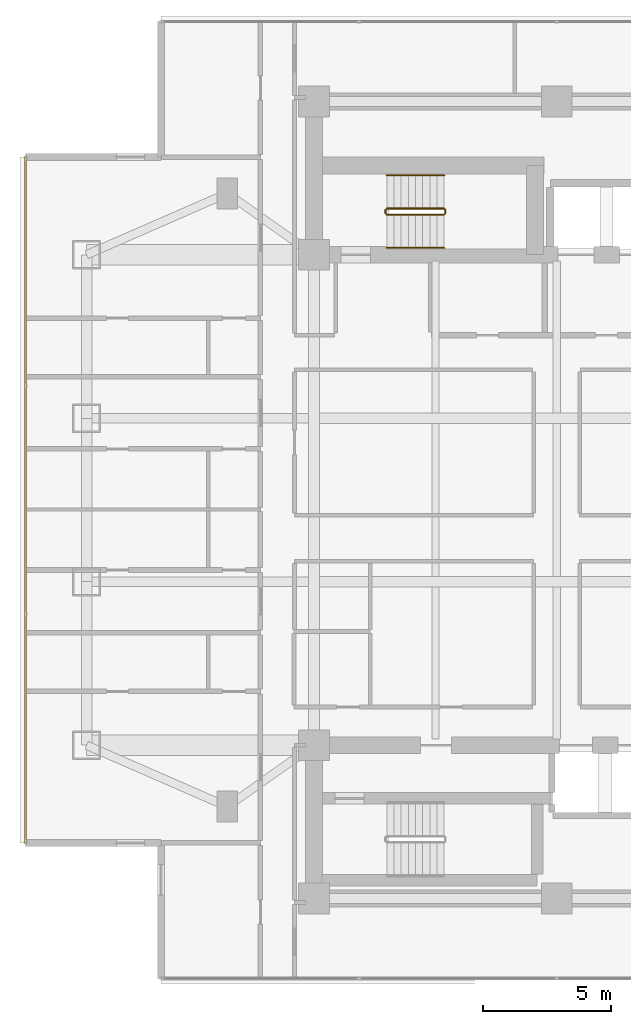
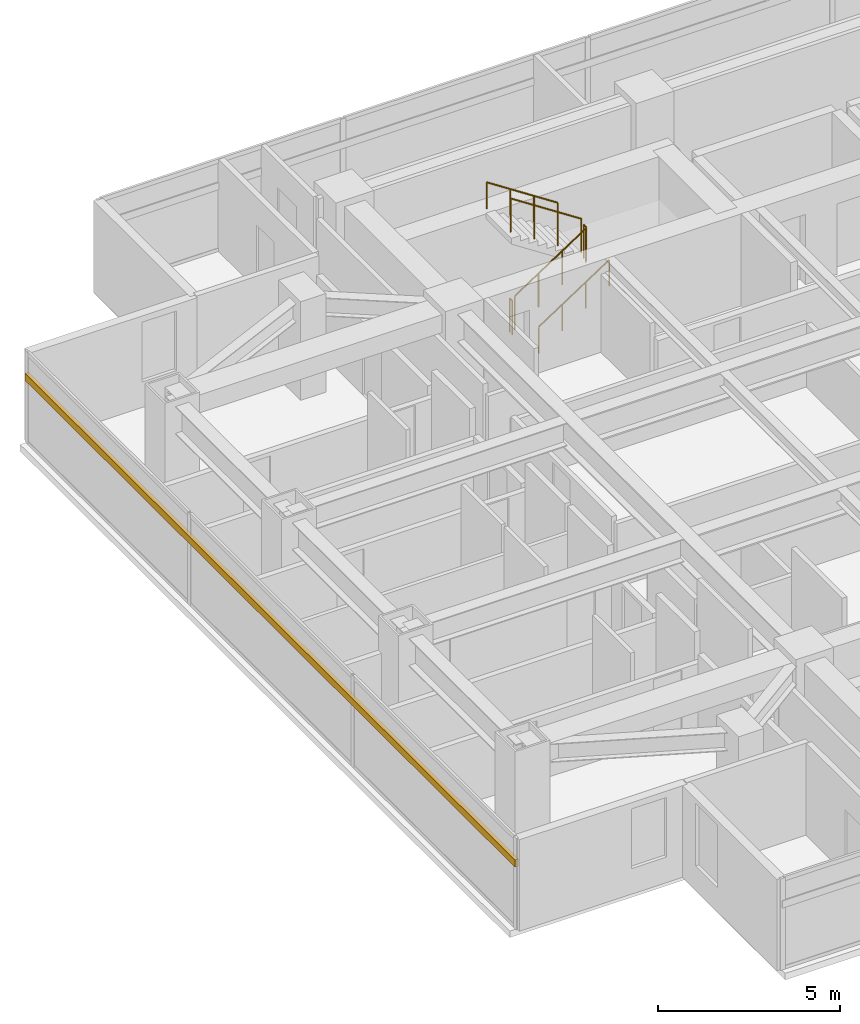
# One storey, part 23 of 27: 6 railings, 1 shading device.
"""IFC4 building model written with IfcOpenShell, lengths in metres."""

from ifc_helpers import new_model, si_unit, direction, frame, origin, origin_2d, place, context, subcontext, project, spatial, rectangle, circle, extrude, material, material_profile, profile_set, type_object, element, save


model = new_model("IFC4")

# Units and contexts
model_context = context("Model", 3, precision=1e-05, world=origin(), true_north=direction((0.0, 1.0)))
body_context = subcontext(model_context, "Body", "Model", "MODEL_VIEW")
ifc_project = project(units=[si_unit("LENGTHUNIT", "METRE"), si_unit("AREAUNIT", "SQUARE_METRE"), si_unit("VOLUMEUNIT", "CUBIC_METRE"), si_unit("PLANEANGLEUNIT", "RADIAN"), si_unit("MASSUNIT", "GRAM", prefix="KILO")], contexts=[model_context])

# Site, building, storey
site_placement = place(None, origin())
site = spatial("IfcSite", under=ifc_project, at=site_placement, CompositionType="ELEMENT")
building_placement = place(site_placement, origin())
building = spatial("IfcBuilding", under=site, at=building_placement, Name="Mirazonda Arch Towers", CompositionType="ELEMENT")
storey_placement = place(building_placement, frame((0.0, 0.0, 95.0)))
storey = spatial("IfcBuildingStorey", under=building, at=storey_placement, Name="L26", CompositionType="ELEMENT", Elevation=95.0)

# Shading device
ifc_material_1 = material(Name="Kiln-Fired Architectural Terracotta", Category="masonry")
ifc_material_profile = material_profile(ifc_material_1, rectangle(XDim=0.1201171875, YDim=0.239990234375, at=origin_2d()), Name="TERRA-BAG-120x240")
ifc_profile_set = profile_set([ifc_material_profile], Name="Kiln-Fired Architectural Terracotta")
shading_device_type = type_object("IfcShadingDeviceType", Name="BAGUETTE-1", PredefinedType="USERDEFINED", material=ifc_profile_set)
shading_device_placement = place(storey_placement, frame((-0.2900390625, 41.4208984375, 2.203125), z_axis=(0.0, -1.0, 0.0), x_axis=(1.0, 0.0, 0.0)))
element("IfcShadingDevice", 1, at=shading_device_placement, inside=storey, type_object=shading_device_type, Name="L26 Glazed Terracotta Sun-Screen Baguette CW-L26-T1-W", ObjectType="BAGUETTE", PredefinedType="USERDEFINED", context=body_context, shape_type="SweptSolid", body=[
    extrude(rectangle(XDim=0.1201171875, YDim=0.239990234375, at=origin_2d()), origin(), (0.0, 0.0, 1.0), 26.841796875),
])

# Railings
ifc_material_2 = material(Name="Architectural Brushed Steel S355", Category="steel")
railing_type_1 = type_object("IfcRailingType", Name="GUARD-STAIR-1120", PredefinedType="GUARDRAIL", material=ifc_material_2)
railing_1_placement = place(storey_placement, frame((13.85009765625, 39.169921875, 0.183349609375)))
element("IfcRailing", 2, at=railing_1_placement, inside=storey, type_object=railing_type_1, Name="L26 ST-T1N stair guard 1", PredefinedType="GUARDRAIL", context=body_context, shape_type="SweptSolid", body=[
    extrude(circle(Radius=0.02392578125, at=origin_2d()), frame((0.0, 0.0, 1.1259765625), z_axis=(0.836636935527, 0.0, 0.547757827979), x_axis=(0.0, 1.0, 0.0)), (0.0, 0.0, 1.0), 2.677490234375),
    extrude(circle(Radius=0.02099609375, at=origin_2d()), origin(), (0.0, 0.0, 1.0), 1.101806640625),
    extrude(circle(Radius=0.02099609375, at=origin_2d()), frame((0.74658203125, 0.0, 0.48876953125)), (0.0, 0.0, 1.0), 1.101806640625),
    extrude(circle(Radius=0.02099609375, at=origin_2d()), frame((1.493408203125, 0.0, 0.977783203125)), (0.0, 0.0, 1.0), 1.101806640625),
    extrude(circle(Radius=0.02099609375, at=origin_2d()), frame((2.239990234375, 0.0, 1.466552734375)), (0.0, 0.0, 1.0), 1.101806640625),
])
railing_2_placement = place(storey_placement, frame((16.139892578125, 39.219970703125, 1.64990234375)))
element("IfcRailing", 3, at=railing_2_placement, inside=storey, type_object=railing_type_1, Name="L26 ST-T1N stair guard 2", PredefinedType="GUARDRAIL", context=body_context, shape_type="SweptSolid", body=[
    extrude(circle(Radius=0.02392578125, at=origin_2d()), frame((0.0, 0.0, 1.1259765625), z_axis=(0.0, 1.0, 0.0), x_axis=(-1.0, 0.0, 0.0)), (0.0, 0.0, 1.0), 0.14013671875),
    extrude(circle(Radius=0.02099609375, at=origin_2d()), origin(), (0.0, 0.0, 1.0), 1.101806640625),
    extrude(circle(Radius=0.02099609375, at=origin_2d()), frame((0.0, 0.14013671875, 0.0)), (0.0, 0.0, 1.0), 1.101806640625),
])
railing_3_placement = place(storey_placement, frame((16.090087890625, 39.409912109375, 1.833251953125)))
element("IfcRailing", 4, at=railing_3_placement, inside=storey, type_object=railing_type_1, Name="L26 ST-T1N stair guard 3", PredefinedType="GUARDRAIL", context=body_context, shape_type="SweptSolid", body=[
    extrude(circle(Radius=0.02392578125, at=origin_2d()), frame((0.0, 0.0, 1.1259765625), z_axis=(-0.836595146698, 0.0, 0.547821650285), x_axis=(0.0, -1.0, 0.0)), (0.0, 0.0, 1.0), 2.677490234375),
    extrude(circle(Radius=0.02099609375, at=origin_2d()), origin(), (0.0, 0.0, 1.0), 1.101806640625),
    extrude(circle(Radius=0.02099609375, at=origin_2d()), frame((-0.74658203125, 0.0, 0.489013671875)), (0.0, 0.0, 1.0), 1.101806640625),
    extrude(circle(Radius=0.02099609375, at=origin_2d()), frame((-1.493408203125, 0.0, 0.977783203125)), (0.0, 0.0, 1.0), 1.101806640625),
    extrude(circle(Radius=0.02099609375, at=origin_2d()), frame((-2.239990234375, 0.0, 1.466796875)), (0.0, 0.0, 1.0), 1.101806640625),
])
railing_4_placement = place(storey_placement, frame((13.800048828125, 39.219970703125, 0.0)))
element("IfcRailing", 5, at=railing_4_placement, inside=storey, type_object=railing_type_1, Name="L26 ST-T1N stair guard 4", PredefinedType="GUARDRAIL", context=body_context, shape_type="SweptSolid", body=[
    extrude(circle(Radius=0.02392578125, at=origin_2d()), frame((0.0, 0.0, 1.1259765625), z_axis=(0.0, 1.0, 0.0), x_axis=(-1.0, 0.0, 0.0)), (0.0, 0.0, 1.0), 0.14013671875),
    extrude(circle(Radius=0.02099609375, at=origin_2d()), origin(), (0.0, 0.0, 1.0), 1.101806640625),
    extrude(circle(Radius=0.02099609375, at=origin_2d()), frame((0.0, 0.14013671875, 0.0)), (0.0, 0.0, 1.0), 1.101806640625),
])
railing_type_2 = type_object("IfcRailingType", Name="HANDRAIL-915", PredefinedType="HANDRAIL", material=ifc_material_2)
railing_5_placement = place(storey_placement, frame((13.85009765625, 37.8701171875, 0.183349609375)))
element("IfcRailing", 6, at=railing_5_placement, inside=storey, type_object=railing_type_2, Name="L26 ST-T1N stair handrail 1", PredefinedType="HANDRAIL", context=body_context, shape_type="SweptSolid", body=[
    extrude(circle(Radius=0.02392578125, at=origin_2d()), frame((0.0, 0.0, 0.8759765625), z_axis=(0.836636935527, 0.0, 0.547757827979), x_axis=(0.0, 1.0, 0.0)), (0.0, 0.0, 1.0), 2.677490234375),
    extrude(circle(Radius=0.02099609375, at=origin_2d()), origin(), (0.0, 0.0, 1.0), 0.851806640625),
    extrude(circle(Radius=0.02099609375, at=origin_2d()), frame((0.74658203125, 0.0, 0.48876953125)), (0.0, 0.0, 1.0), 0.851806640625),
    extrude(circle(Radius=0.02099609375, at=origin_2d()), frame((1.493408203125, 0.0, 0.977783203125)), (0.0, 0.0, 1.0), 0.851806640625),
    extrude(circle(Radius=0.02099609375, at=origin_2d()), frame((2.239990234375, 0.0, 1.466552734375)), (0.0, 0.0, 1.0), 0.851806640625),
])
railing_6_placement = place(storey_placement, frame((16.090087890625, 40.7099609375, 1.833251953125)))
element("IfcRailing", 7, at=railing_6_placement, inside=storey, type_object=railing_type_2, Name="L26 ST-T1N stair handrail 2", PredefinedType="HANDRAIL", context=body_context, shape_type="SweptSolid", body=[
    extrude(circle(Radius=0.02392578125, at=origin_2d()), frame((0.0, 0.0, 0.8759765625), z_axis=(-0.836595146698, 0.0, 0.547821650285), x_axis=(0.0, -1.0, 0.0)), (0.0, 0.0, 1.0), 2.677490234375),
    extrude(circle(Radius=0.02099609375, at=origin_2d()), origin(), (0.0, 0.0, 1.0), 0.851806640625),
    extrude(circle(Radius=0.02099609375, at=origin_2d()), frame((-0.74658203125, 0.0, 0.489013671875)), (0.0, 0.0, 1.0), 0.851806640625),
    extrude(circle(Radius=0.02099609375, at=origin_2d()), frame((-1.493408203125, 0.0, 0.977783203125)), (0.0, 0.0, 1.0), 0.851806640625),
    extrude(circle(Radius=0.02099609375, at=origin_2d()), frame((-2.239990234375, 0.0, 1.466796875)), (0.0, 0.0, 1.0), 0.851806640625),
])

save(model, "model.ifc")
